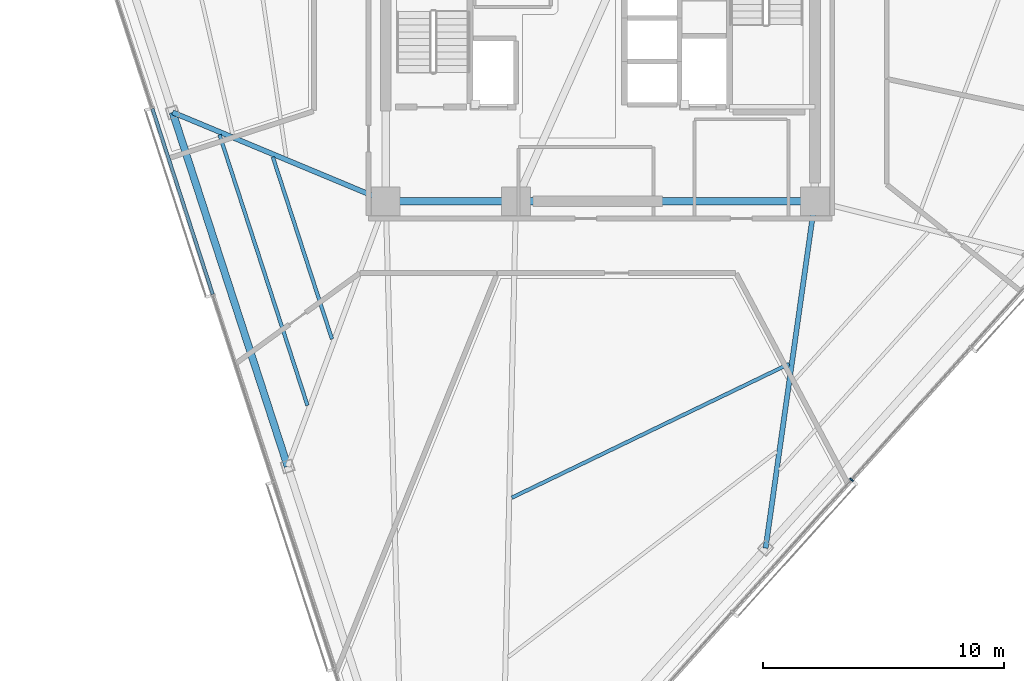
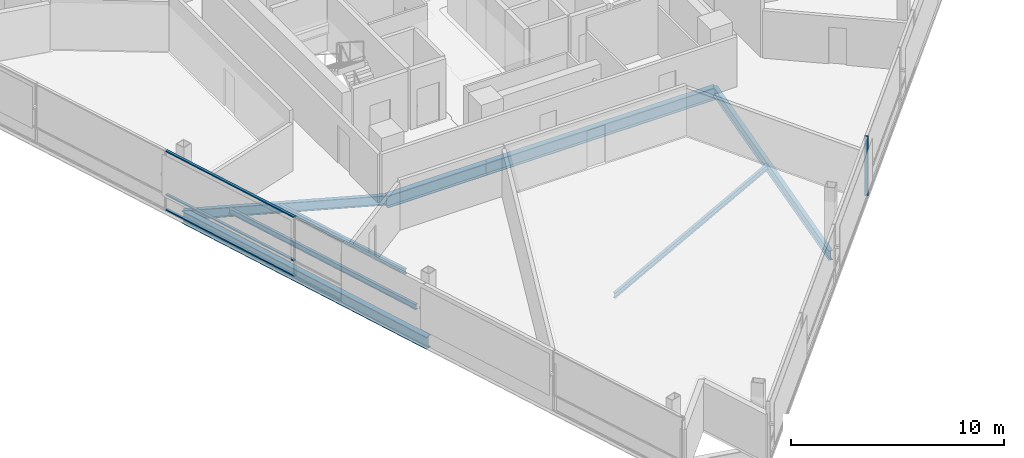
# One storey, part 3 of 17: 8 beams, 4 members, 2 elements without a shape of their own.
"""IFC4 building model written with IfcOpenShell, lengths in metres."""

from ifc_helpers import new_model, si_unit, direction, frame, origin, origin_2d, place, context, subcontext, project, spatial, rectangle, i_section, extrude, material, layer, layer_set, material_profile, profile_set, type_object, element, aggregate, save


model = new_model("IFC4")

# Units and contexts
model_context = context("Model", 3, precision=1e-05, world=origin(), true_north=direction((0.0, 1.0)))
body_context = subcontext(model_context, "Body", "Model", "MODEL_VIEW")
ifc_project = project(units=[si_unit("LENGTHUNIT", "METRE"), si_unit("AREAUNIT", "SQUARE_METRE"), si_unit("VOLUMEUNIT", "CUBIC_METRE"), si_unit("PLANEANGLEUNIT", "RADIAN"), si_unit("MASSUNIT", "GRAM", prefix="KILO")], contexts=[model_context])

# Site, building, storey
site_placement = place(None, origin())
site = spatial("IfcSite", under=ifc_project, at=site_placement, CompositionType="ELEMENT")
building_placement = place(site_placement, origin())
building = spatial("IfcBuilding", under=site, at=building_placement, Name="Tharavind Bronze Gate", CompositionType="ELEMENT")
storey_placement = place(building_placement, frame((0.0, 0.0, 200.449951171875)))
storey = spatial("IfcBuildingStorey", under=building, at=storey_placement, Name="L51", CompositionType="ELEMENT", Elevation=200.449951171875)

# Curtain wall, member
ifc_material_1 = material(Name="Anodised Bronze Aluminium", Category="aluminium")
ifc_layer = layer(ifc_material_1, 0.219970703125)
ifc_layer_set = layer_set([ifc_layer], Name="Anodised Bronze Aluminium")
curtain_wall_type = type_object("IfcCurtainWallType", Name="UNITISED CURTAIN WALL MID OFFICE", PredefinedType="USERDEFINED", material=ifc_layer_set)
curtain_wall_1_placement = place(storey_placement, origin())
curtain_wall_1 = element("IfcCurtainWall", 1, at=curtain_wall_1_placement, inside=storey, type_object=curtain_wall_type, Name="L51 unitised curtain wall mid office CW-L51-S2", ObjectType="UNITISED CURTAIN WALL", PredefinedType="USERDEFINED")
member_type_1 = type_object("IfcMemberType", Name="CURTAIN WALL BRONZE MULLION 65X180", PredefinedType="MULLION", material=ifc_material_1)
member_1_placement = place(storey_placement, frame((10.42138671875, -19.1552734375, 0.0), z_axis=(0.0, 0.0, 1.0), x_axis=(0.669130606359, 0.743144825477, 0.0)))
member_1 = element("IfcMember", 2, at=member_1_placement, type_object=member_type_1, Name="CW-L51-S2 mullion 4", PredefinedType="MULLION", context=body_context, shape_type="SweptSolid", body=[
    extrude(rectangle(XDim=0.06494140625, YDim=0.179931640625, at=origin_2d()), origin(), (0.0, 0.0, 1.0), 3.419921875),
])
aggregate(curtain_wall_1, [member_1])

# Curtain wall, members
curtain_wall_2_placement = place(storey_placement, origin())
curtain_wall_2 = element("IfcCurtainWall", 3, at=curtain_wall_2_placement, inside=storey, type_object=curtain_wall_type, Name="L51 unitised curtain wall mid office CW-L51-S1", ObjectType="UNITISED CURTAIN WALL", PredefinedType="USERDEFINED")
member_type_2 = type_object("IfcMemberType", Name="CURTAIN WALL BRONZE TRANSOM 65X140", PredefinedType="USERDEFINED", material=ifc_material_1)
member_2_placement = place(storey_placement, frame((-17.32958984375, -7.61083984375, 0.0), z_axis=(0.0, 0.0, 1.0), x_axis=(0.309016994375, -0.951056516295, 0.0)))
member_2 = element("IfcMember", 4, at=member_2_placement, type_object=member_type_2, Name="CW-L51-S1 transom TB3", ObjectType="TRANSOM", PredefinedType="USERDEFINED", context=body_context, shape_type="SweptSolid", body=[
    extrude(rectangle(XDim=8.102783203125, YDim=0.139892578125, at=origin_2d()), origin(), (0.0, 0.0, 1.0), 0.06494140625),
])
member_3_placement = place(storey_placement, frame((-17.32958984375, -7.61083984375, 0.86767578125), z_axis=(0.0, 0.0, 1.0), x_axis=(0.309016994375, -0.951056516295, 0.0)))
member_3 = element("IfcMember", 5, at=member_3_placement, type_object=member_type_2, Name="CW-L51-S1 transom TS3", ObjectType="TRANSOM", PredefinedType="USERDEFINED", context=body_context, shape_type="SweptSolid", body=[
    extrude(rectangle(XDim=8.102783203125, YDim=0.139892578125, at=origin_2d()), origin(), (0.0, 0.0, 1.0), 0.06494140625),
])
member_4_placement = place(storey_placement, frame((-17.32958984375, -7.61083984375, 3.35498046875), z_axis=(0.0, 0.0, 1.0), x_axis=(0.309016994375, -0.951056516295, 0.0)))
member_4 = element("IfcMember", 6, at=member_4_placement, type_object=member_type_2, Name="CW-L51-S1 transom TT3", ObjectType="TRANSOM", PredefinedType="USERDEFINED", context=body_context, shape_type="SweptSolid", body=[
    extrude(rectangle(XDim=8.102783203125, YDim=0.139892578125, at=origin_2d()), origin(), (0.0, 0.0, 1.0), 0.06494140625),
])
aggregate(curtain_wall_2, [member_2, member_3, member_4])

# Beams
ifc_material_2 = material(Name="Steel S355", Category="steel")
ifc_material_profile_1 = material_profile(ifc_material_2, i_section(OverallWidth=0.2099609375, OverallDepth=0.550048828125, WebThickness=0.010986328125, FlangeThickness=0.01708984375, at=origin_2d()), Name="IPE550")
ifc_profile_set_1 = profile_set([ifc_material_profile_1], Name="Steel S355")
beam_type_1 = type_object("IfcBeamType", Name="PRIMARY GIRDER IPE550", PredefinedType="USERDEFINED", material=ifc_profile_set_1)
beam_1_placement = place(storey_placement, frame((-17.74267578125, -3.91259765625, -0.454833984375), z_axis=(0.922965305367, -0.38488315771, 0.0), x_axis=(0.38488315771, 0.922965305367, 0.0)))
element("IfcBeam", 7, at=beam_1_placement, inside=storey, type_object=beam_type_1, Name="L51 primary girder ipe550 BM-L51-RAD02", ObjectType="GIRDER", PredefinedType="USERDEFINED", context=body_context, shape_type="SweptSolid", body=[
    extrude(i_section(OverallWidth=0.2099609375, OverallDepth=0.550048828125, WebThickness=0.010986328125, FlangeThickness=0.01708984375, at=origin_2d()), origin(), (0.0, 0.0, 1.0), 9.580810546875),
])
beam_2_placement = place(storey_placement, frame((6.857421875, -21.992431640625, -0.454833984375), z_axis=(0.140506642307, 0.990079735914, 0.0), x_axis=(-0.990079735914, 0.140506642307, 0.0)))
element("IfcBeam", 8, at=beam_2_placement, inside=storey, type_object=beam_type_1, Name="L51 primary girder ipe550 BM-L51-RAD06", ObjectType="GIRDER", PredefinedType="USERDEFINED", context=body_context, shape_type="SweptSolid", body=[
    extrude(i_section(OverallWidth=0.2099609375, OverallDepth=0.550048828125, WebThickness=0.010986328125, FlangeThickness=0.01708984375, at=origin_2d()), origin(), (0.0, 0.0, 1.0), 14.53662109375),
])
ifc_material_profile_2 = material_profile(ifc_material_2, i_section(OverallWidth=0.300048828125, OverallDepth=0.699951171875, WebThickness=0.01708984375, FlangeThickness=0.031982421875, at=origin_2d()), Name="HE700B")
ifc_profile_set_2 = profile_set([ifc_material_profile_2], Name="Steel S355")
beam_type_2 = type_object("IfcBeamType", Name="RING GIRDER HE700B", PredefinedType="USERDEFINED", material=ifc_profile_set_2)
beam_3_placement = place(storey_placement, frame((-8.89990234375, -7.60009765625, -0.530029296875), z_axis=(1.0, 0.0, 0.0), x_axis=(0.0, 1.0, 0.0)))
element("IfcBeam", 9, at=beam_3_placement, inside=storey, type_object=beam_type_2, Name="L51 ring girder he700b BM-L51-CR1", ObjectType="GIRDER", PredefinedType="USERDEFINED", context=body_context, shape_type="SweptSolid", body=[
    extrude(i_section(OverallWidth=0.300048828125, OverallDepth=0.699951171875, WebThickness=0.01708984375, FlangeThickness=0.031982421875, at=origin_2d()), origin(), (0.0, 0.0, 1.0), 5.39990234375),
])
beam_4_placement = place(storey_placement, frame((-3.5, -7.60009765625, -0.530029296875), z_axis=(1.0, 0.0, 0.0), x_axis=(0.0, 1.0, 0.0)))
element("IfcBeam", 10, at=beam_4_placement, inside=storey, type_object=beam_type_2, Name="L51 ring girder he700b BM-L51-CR2", ObjectType="GIRDER", PredefinedType="USERDEFINED", context=body_context, shape_type="SweptSolid", body=[
    extrude(i_section(OverallWidth=0.300048828125, OverallDepth=0.699951171875, WebThickness=0.01708984375, FlangeThickness=0.031982421875, at=origin_2d()), origin(), (0.0, 0.0, 1.0), 12.39990234375),
])
beam_5_placement = place(storey_placement, frame((-17.74267578125, -3.91259765625, -0.530029296875), z_axis=(0.309020307293, -0.951055439857, 0.0), x_axis=(0.951055439857, 0.309020307293, 0.0)))
element("IfcBeam", 11, at=beam_5_placement, inside=storey, type_object=beam_type_2, Name="L51 ring girder he700b BM-L51-PRG02", ObjectType="GIRDER", PredefinedType="USERDEFINED", context=body_context, shape_type="SweptSolid", body=[
    extrude(i_section(OverallWidth=0.300048828125, OverallDepth=0.699951171875, WebThickness=0.01708984375, FlangeThickness=0.031982421875, at=origin_2d()), origin(), (0.0, 0.0, 1.0), 15.4453125),
])
ifc_material_profile_3 = material_profile(ifc_material_2, i_section(OverallWidth=0.14990234375, OverallDepth=0.300048828125, WebThickness=0.007080078125, FlangeThickness=0.0107421875, at=origin_2d()), Name="IPE300")
ifc_profile_set_3 = profile_set([ifc_material_profile_3], Name="Steel S355")
beam_type_3 = type_object("IfcBeamType", Name="SECONDARY FLOOR JOIST IPE300", PredefinedType="JOIST", material=ifc_profile_set_3)
beam_6_placement = place(storey_placement, frame((-13.5869140625, -5.7626953125, -0.329833984375), z_axis=(0.309039532328, -0.951049192975, 0.0), x_axis=(0.951049192975, 0.309039532328, 0.0)))
element("IfcBeam", 12, at=beam_6_placement, inside=storey, type_object=beam_type_3, Name="L51 secondary floor joist ipe300 BM-L51-JSTA02", PredefinedType="JOIST", context=body_context, shape_type="SweptSolid", body=[
    extrude(i_section(OverallWidth=0.14990234375, OverallDepth=0.300048828125, WebThickness=0.007080078125, FlangeThickness=0.0107421875, at=origin_2d()), origin(), (0.0, 0.0, 1.0), 7.947265625),
])
beam_7_placement = place(storey_placement, frame((-15.79736328125, -4.8408203125, -0.329833984375), z_axis=(0.309005195331, -0.951060349956, 0.0), x_axis=(0.951060349956, 0.309005195331, 0.0)))
element("IfcBeam", 13, at=beam_7_placement, inside=storey, type_object=beam_type_3, Name="L51 secondary floor joist ipe300 BM-L51-JSTB02", PredefinedType="JOIST", context=body_context, shape_type="SweptSolid", body=[
    extrude(i_section(OverallWidth=0.14990234375, OverallDepth=0.300048828125, WebThickness=0.007080078125, FlangeThickness=0.0107421875, at=origin_2d()), origin(), (0.0, 0.0, 1.0), 11.80859375),
])
beam_8_placement = place(storey_placement, frame((-3.66943359375, -19.8984375, -0.329833984375), z_axis=(0.900657941829, 0.434528792855, 0.0), x_axis=(-0.434528792855, 0.900657941829, 0.0)))
element("IfcBeam", 14, at=beam_8_placement, inside=storey, type_object=beam_type_3, Name="L51 secondary floor joist ipe300 BM-L51-JSTA05", PredefinedType="JOIST", context=body_context, shape_type="SweptSolid", body=[
    extrude(i_section(OverallWidth=0.14990234375, OverallDepth=0.300048828125, WebThickness=0.007080078125, FlangeThickness=0.0107421875, at=origin_2d()), origin(), (0.0, 0.0, 1.0), 12.77099609375),
])

save(model, "model.ifc")
